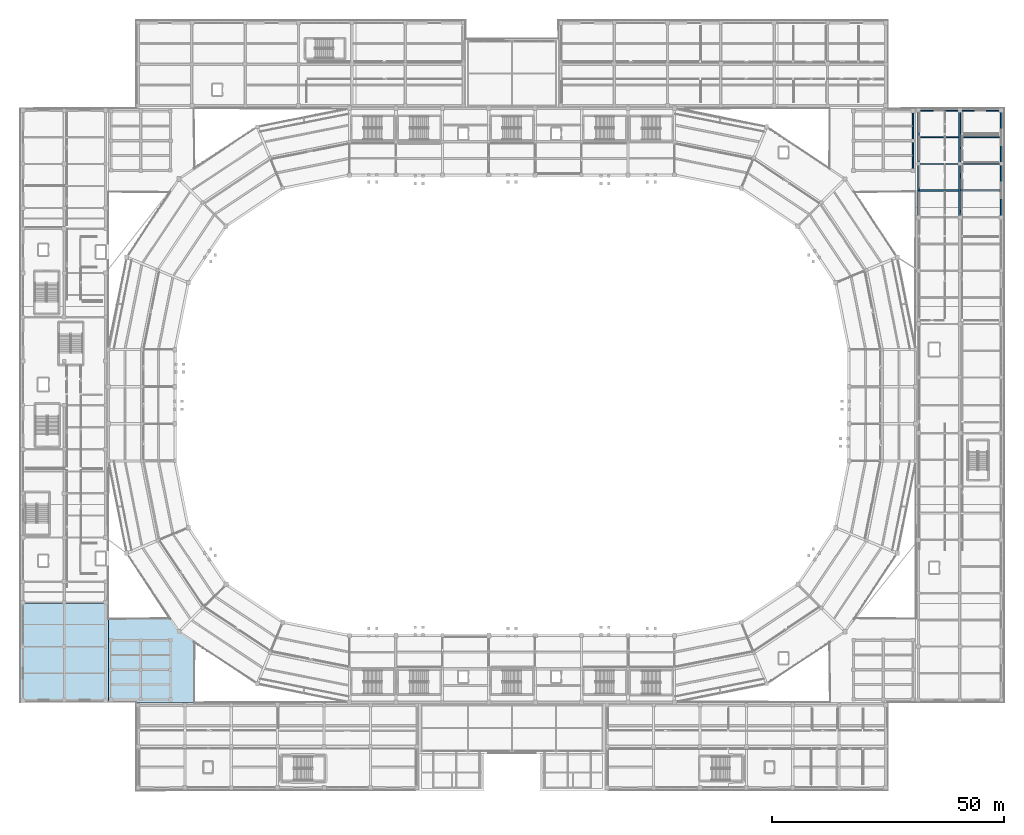
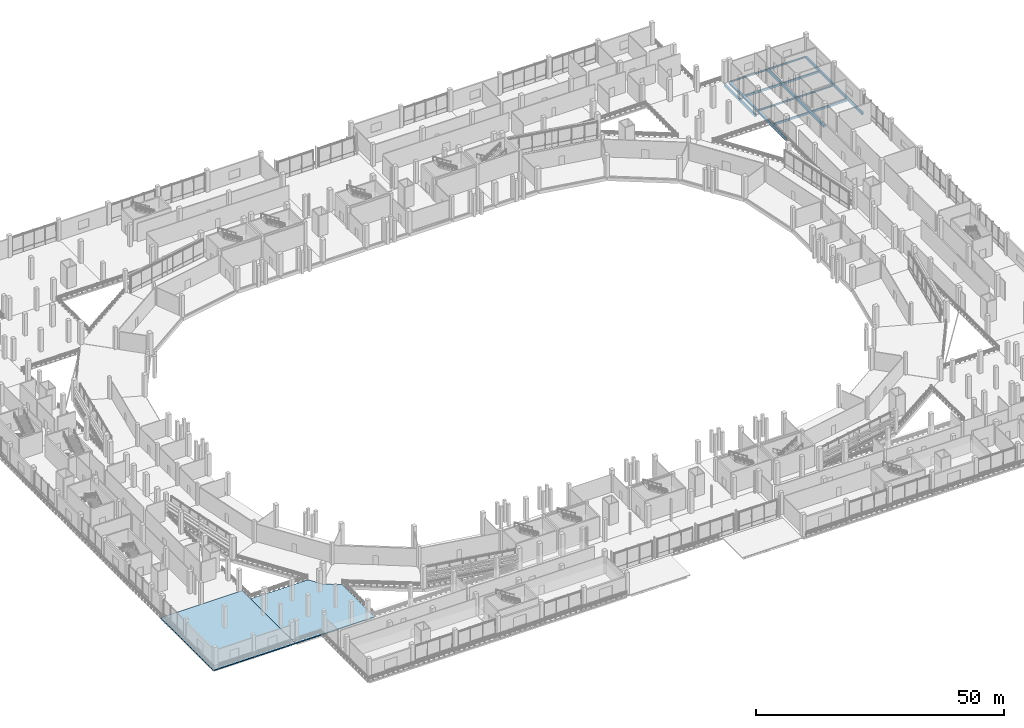
# One storey, part 61 of 114: 16 beams, 2 slabs.
"""IFC4 building model written with IfcOpenShell, lengths in metres."""

from ifc_helpers import new_model, si_unit, direction, frame, origin, origin_2d, place, context, subcontext, project, spatial, polyline, rectangle, i_section, outline, extrude, material, layer, layer_set, material_profile, profile_set, type_object, element, save


model = new_model("IFC4")

# Units and contexts
model_context = context("Model", 3, precision=1e-05, world=origin(), true_north=direction((0.0, 1.0)))
body_context = subcontext(model_context, "Body", "Model", "MODEL_VIEW")
ifc_project = project(units=[si_unit("LENGTHUNIT", "METRE"), si_unit("AREAUNIT", "SQUARE_METRE"), si_unit("VOLUMEUNIT", "CUBIC_METRE"), si_unit("PLANEANGLEUNIT", "RADIAN"), si_unit("MASSUNIT", "GRAM", prefix="KILO")], contexts=[model_context])

# Site, building, storey
site_placement = place(None, origin())
site = spatial("IfcSite", under=ifc_project, at=site_placement, CompositionType="ELEMENT")
building_placement = place(site_placement, origin())
building = spatial("IfcBuilding", under=site, at=building_placement, Name="Candeia Ridge Stadium", CompositionType="ELEMENT")
storey_placement = place(building_placement, frame((0.0, 0.0, 5.39990234375)))
storey = spatial("IfcBuildingStorey", under=building, at=storey_placement, Name="L01", CompositionType="ELEMENT", Elevation=5.39990234375)

# Beams
ifc_material_1 = material(Name="Concrete C40/50", Category="concrete")
ifc_material_profile_1 = material_profile(ifc_material_1, rectangle(XDim=0.300048828125, YDim=0.5, at=origin_2d()), Name="RC300x500", Category="concrete")
ifc_profile_set_1 = profile_set([ifc_material_profile_1], Name="Concrete C40/50")
beam_type_1 = type_object("IfcBeamType", Name="Floor Joist RC300x500", PredefinedType="JOIST", material=ifc_profile_set_1)
for number, where, z_axis, x_axis, name in (
    (1, (193.7744140625, 129.25, -0.510009765625), (1.0, 0.0, 0.0), (0.0, 1.0, 0.0), "Wing secondary joist BM-L01-1502"),
    (2, (193.7744140625, 140.75, -0.510009765625), (1.0, 0.0, 0.0), (0.0, 1.0, 0.0), "Wing secondary joist BM-L01-1504"),
    (3, (202.699462890625, 129.25, -0.510009765625), (1.0, 0.0, 0.0), (0.0, 1.0, 0.0), "Wing secondary joist BM-L01-1524"),
    (4, (202.699462890625, 140.75, -0.510009765625), (1.0, 0.0, 0.0), (0.0, 1.0, 0.0), "Wing secondary joist BM-L01-1526"),
):
    element("IfcBeam", number, at=place(storey_placement, frame(where, z_axis=z_axis, x_axis=x_axis)), inside=storey, type_object=beam_type_1, Name=name, PredefinedType="JOIST", context=body_context, shape_type="SweptSolid", body=[
        extrude(rectangle(XDim=0.300048828125, YDim=0.5, at=origin_2d()), origin(), (0.0, 0.0, 1.0), 8.526123046875),
    ])
ifc_material_profile_2 = material_profile(ifc_material_1, rectangle(XDim=0.39990234375, YDim=0.60009765625, at=origin_2d()), Name="RC400x600", Category="concrete")
ifc_profile_set_2 = profile_set([ifc_material_profile_2], Name="Concrete C40/50")
beam_type_2 = type_object("IfcBeamType", Name="Frame Girder RC400x600", PredefinedType="BEAM", material=ifc_profile_set_2)
for number, where, z_axis, x_axis, name in (
    (5, (202.5, 123.659912109375, -0.559814453125), (0.0, 1.0, 0.0), (-1.0, 0.0, 0.0), "Structural girder BM-L01-1472"),
    (6, (202.5, 135.159912109375, -0.559814453125), (0.0, 1.0, 0.0), (-1.0, 0.0, 0.0), "Structural girder BM-L01-1473"),
):
    element("IfcBeam", number, at=place(storey_placement, frame(where, z_axis=z_axis, x_axis=x_axis)), inside=storey, type_object=beam_type_2, Name=name, PredefinedType="BEAM", context=body_context, shape_type="SweptSolid", body=[
        extrude(rectangle(XDim=0.39990234375, YDim=0.60009765625, at=origin_2d()), origin(), (0.0, 0.0, 1.0), 11.18017578125),
    ])
ifc_material_profile_3 = material_profile(ifc_material_1, rectangle(XDim=0.35009765625, YDim=0.64990234375, at=origin_2d()), Name="RC350x650", Category="concrete")
ifc_profile_set_3 = profile_set([ifc_material_profile_3], Name="Concrete C40/50")
beam_type_3 = type_object("IfcBeamType", Name="Spandrel Beam RC350x650", PredefinedType="SPANDREL", material=ifc_profile_set_3)
for number, where, z_axis, x_axis, name in (
    (7, (193.60009765625, 123.659912109375, -0.5849609375), (0.0, 1.0, 0.0), (-1.0, 0.0, 0.0), "Structural girder BM-L01-1461"),
    (8, (193.60009765625, 135.159912109375, -0.5849609375), (0.0, 1.0, 0.0), (-1.0, 0.0, 0.0), "Structural girder BM-L01-1462"),
    (9, (211.39990234375, 123.659912109375, -0.5849609375), (0.0, 1.0, 0.0), (-1.0, 0.0, 0.0), "Structural girder BM-L01-1483"),
    (10, (211.39990234375, 135.159912109375, -0.5849609375), (0.0, 1.0, 0.0), (-1.0, 0.0, 0.0), "Structural girder BM-L01-1484"),
):
    element("IfcBeam", number, at=place(storey_placement, frame(where, z_axis=z_axis, x_axis=x_axis)), inside=storey, type_object=beam_type_3, Name=name, PredefinedType="SPANDREL", context=body_context, shape_type="SweptSolid", body=[
        extrude(rectangle(XDim=0.35009765625, YDim=0.64990234375, at=origin_2d()), origin(), (0.0, 0.0, 1.0), 11.18017578125),
    ])
for number, where, z_axis, x_axis, name in (
    (11, (192.39990234375, 133.760009765625, -0.5849609375), (0.0, 1.0, 0.0), (-1.0, 0.0, 0.0), "Structural girder BM-L01-2096"),
    (12, (192.39990234375, 140.159912109375, -0.5849609375), (0.0, 1.0, 0.0), (-1.0, 0.0, 0.0), "Structural girder BM-L01-2097"),
):
    element("IfcBeam", number, at=place(storey_placement, frame(where, z_axis=z_axis, x_axis=x_axis)), inside=storey, type_object=beam_type_3, Name=name, PredefinedType="SPANDREL", context=body_context, shape_type="SweptSolid", body=[
        extrude(rectangle(XDim=0.35009765625, YDim=0.64990234375, at=origin_2d()), origin(), (0.0, 0.0, 1.0), 6.080078125),
    ])
ifc_material_2 = material(Name="Steel ASTM A572 Grade 50", Category="steel")
ifc_material_profile_4 = material_profile(ifc_material_2, i_section(OverallWidth=0.178955078125, OverallDepth=0.409912109375, WebThickness=0.0087890625, FlangeThickness=0.014404296875, FilletRadius=0.011962890625, at=origin_2d()), Name="W410x67", Category="steel")
ifc_profile_set_4 = profile_set([ifc_material_profile_4], Name="Steel ASTM A572 Grade 50")
beam_type_4 = type_object("IfcBeamType", Name="Warm-Up Hall Girder W410x67", PredefinedType="BEAM", material=ifc_profile_set_4)
for number, where, z_axis, x_axis, name in (
    (13, (193.64990234375, 135.0, -0.46484375), (1.0, 0.0, 0.0), (0.0, 1.0, 0.0), "Structural girder BM-L01-1503"),
    (14, (193.64990234375, 146.5, -0.46484375), (1.0, 0.0, 0.0), (0.0, 1.0, 0.0), "Structural girder BM-L01-1505"),
    (15, (202.550048828125, 135.0, -0.46484375), (1.0, 0.0, 0.0), (0.0, 1.0, 0.0), "Structural girder BM-L01-1525"),
    (16, (202.550048828125, 146.5, -0.46484375), (1.0, 0.0, 0.0), (0.0, 1.0, 0.0), "Structural girder BM-L01-1527"),
):
    element("IfcBeam", number, at=place(storey_placement, frame(where, z_axis=z_axis, x_axis=x_axis)), inside=storey, type_object=beam_type_4, Name=name, PredefinedType="BEAM", context=body_context, shape_type="SweptSolid", body=[
        extrude(i_section(OverallWidth=0.178955078125, OverallDepth=0.409912109375, WebThickness=0.0087890625, FlangeThickness=0.014404296875, FilletRadius=0.011962890625, at=origin_2d()), origin(), (0.0, 0.0, 1.0), 8.800048828125),
    ])

# Slabs
ifc_layer = layer(ifc_material_1, 0.25, Name="Concrete C40/50", Category="concrete")
ifc_layer_set = layer_set([ifc_layer], Name="Concrete C40/50")
slab_type = type_object("IfcSlabType", Name="Hospitality & Museum Slab 250", PredefinedType="FLOOR", material=ifc_layer_set)
slab_1_placement = place(storey_placement, frame((0.0, 0.0, -0.25)))
element("IfcSlab", 17, at=slab_1_placement, inside=storey, type_object=slab_type, Name="Wing floor slab west SLB-L01-0212", PredefinedType="FLOOR", context=body_context, shape_type="SweptSolid", body=[
    extrude(outline(polyline([(0.0, 19.0), (0.0, 40.333251953125), (19.0, 40.333251953125), (19.0, 19.0), (0.0, 19.0)])), origin(), (0.0, 0.0, 1.0), 0.25),
])
slab_2_placement = place(storey_placement, frame((0.0, 0.0, -0.25)))
element("IfcSlab", 18, at=slab_2_placement, inside=storey, type_object=slab_type, Name="Wing floor slab sp_sw SLB-L01-0240", PredefinedType="FLOOR", context=body_context, shape_type="SweptSolid", body=[
    extrude(outline(polyline([(19.0, 19.0), (19.0, 37.0), (32.373779296875, 37.0), (34.226318359375, 34.227783203125), (34.2265625, 34.227294921875), (34.226806640625, 34.226806640625), (34.227294921875, 34.2265625), (34.227783203125, 34.226318359375), (37.5, 32.039794921875), (37.5, 19.0), (19.0, 19.0)])), origin(), (0.0, 0.0, 1.0), 0.25),
])

save(model, "model.ifc")
